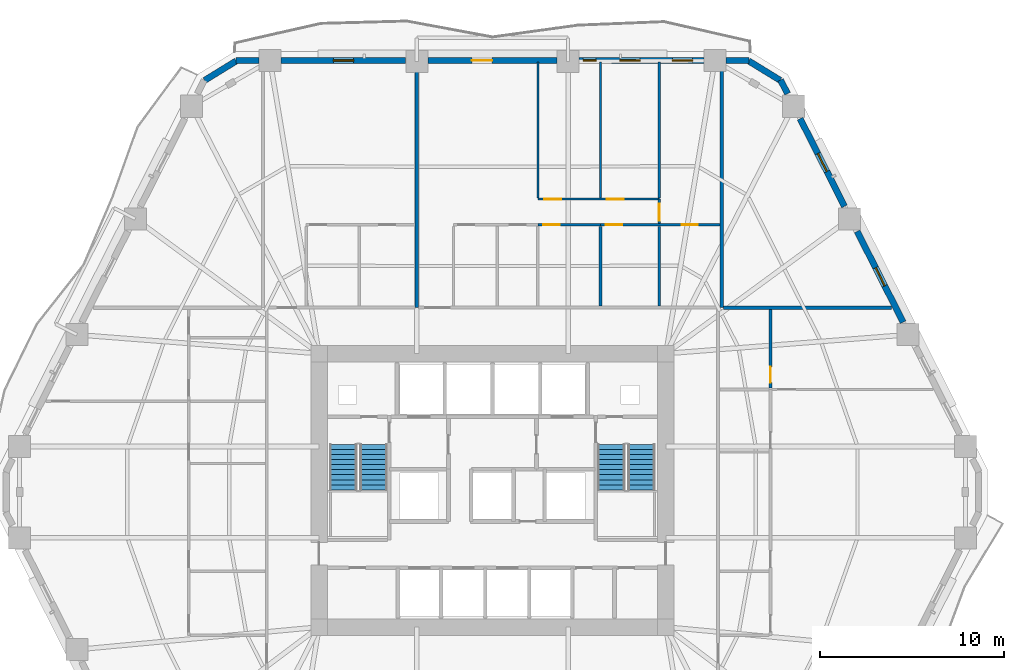
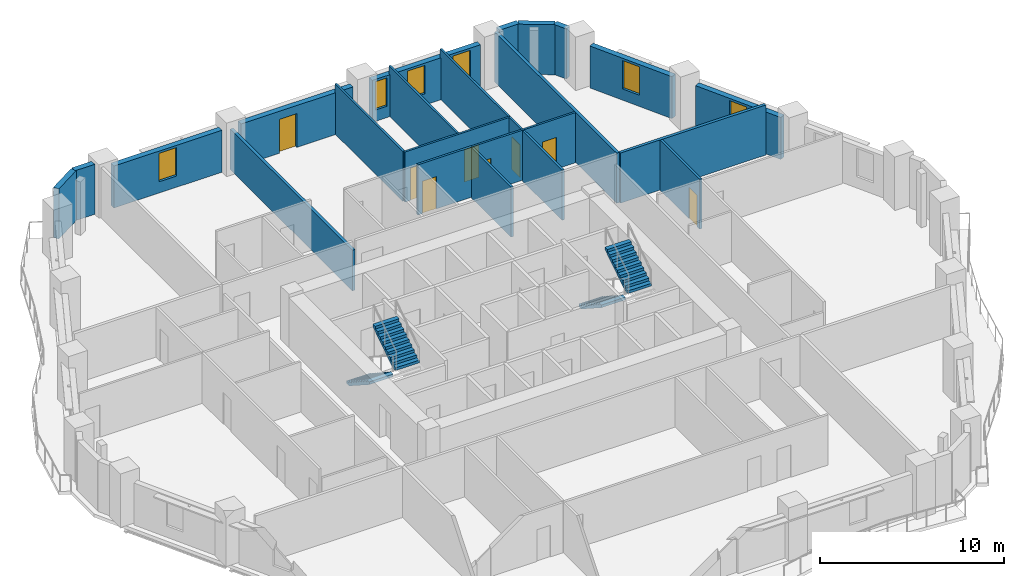
# One storey, part 7 of 13: 23 walls, 8 doors, 6 windows, 4 stair flights, 14 openings, 2 elements without a shape of their own.
"""IFC4 building model written with IfcOpenShell, lengths in metres."""

import ifcopenshell
import ifcopenshell.guid

model = None  # the IFC model being written
_history = None  # IfcOwnerHistory: only IFC2X3 demands one
_inside = {}  # id of a spatial element -> (the spatial element, [elements in it])
_under = {}  # id of a project, library or spatial element -> (it, [spatial elements below it])
_declared = {}  # id of a project -> (the project, [libraries it declares])
_typed = {}  # id of a type object -> (the type object, [elements of that type])
_made_of = {}  # id of a material, layer set ... -> (it, [elements and type objects made of it])


def new_model(schema):
    """Start an empty IFC model of exactly this schema.

    Asked for "IFC4X3", IfcOpenShell would pick the latest addendum, in which some entities
    have other attributes; the version numbers below select the first issue.
    IFC2X3 requires an IfcOwnerHistory on every rooted entity: one is made here for all.
    """
    global model, _history
    if schema == "IFC4X3":
        model = ifcopenshell.file(schema_version=(4, 3, 0, 0))
    else:
        model = ifcopenshell.file(schema=schema)
    _inside.clear()
    _under.clear()
    _declared.clear()
    _typed.clear()
    _made_of.clear()
    _history = None
    if model.schema == "IFC2X3":
        org = make("IfcOrganization", Name="unknown")
        user = make(
            "IfcPersonAndOrganization",
            ThePerson=make("IfcPerson", FamilyName="unknown"),
            TheOrganization=org,
        )
        app = make(
            "IfcApplication",
            ApplicationDeveloper=org,
            Version="unknown",
            ApplicationFullName="unknown",
            ApplicationIdentifier="unknown",
        )
        _history = make(
            "IfcOwnerHistory",
            OwningUser=user,
            OwningApplication=app,
            ChangeAction="ADDED",
            CreationDate=0,
        )
    return model


def make(cls, **values):
    """One entity of the class cls with the attributes given. An attribute that is None is left unset."""
    return model.create_entity(
        cls, **{name: value for name, value in values.items() if value is not None}
    )


def rooted(cls, **values):
    """An entity with a GlobalId (a new one), such as an element, a storey or a relation."""
    return make(cls, GlobalId=ifcopenshell.guid.new(), OwnerHistory=_history, **values)


def si_unit(unit_type, name, prefix=None):
    """IfcSIUnit, for example si_unit("LENGTHUNIT", "METRE", prefix="MILLI")."""
    return make("IfcSIUnit", UnitType=unit_type, Prefix=prefix, Name=name)


def assignment(units):
    """IfcUnitAssignment: the units of a project."""
    return None if units is None else make("IfcUnitAssignment", Units=units)


def point(xyz):
    """IfcCartesianPoint."""
    return None if xyz is None else make("IfcCartesianPoint", Coordinates=xyz)


def direction(xyz):
    """IfcDirection."""
    return None if xyz is None else make("IfcDirection", DirectionRatios=xyz)


def frame(location, z_axis=None, x_axis=None):
    """IfcAxis2Placement3D, a coordinate frame: its origin and axes. An axis left out is left unset."""
    return make(
        "IfcAxis2Placement3D",
        Location=point(location),
        Axis=direction(z_axis),
        RefDirection=direction(x_axis),
    )


def frame_2d(location, x_axis=None):
    """IfcAxis2Placement2D, a coordinate frame in the plane: its origin and x axis."""
    return make(
        "IfcAxis2Placement2D", Location=point(location), RefDirection=direction(x_axis)
    )


def origin():
    """The frame at (0, 0, 0) with its axes left unset."""
    return frame((0.0, 0.0, 0.0))


def place(relative_to, where):
    """IfcLocalPlacement: puts the frame where relative to a parent placement (None: the world)."""
    return make(
        "IfcLocalPlacement", PlacementRelTo=relative_to, RelativePlacement=where
    )


def context(
    kind, dimensions, precision=None, world=None, true_north=None, identifier=None
):
    """IfcGeometricRepresentationContext, for example the 3D "Model" context."""
    return make(
        "IfcGeometricRepresentationContext",
        ContextIdentifier=identifier,
        ContextType=kind,
        CoordinateSpaceDimension=dimensions,
        Precision=precision,
        WorldCoordinateSystem=world,
        TrueNorth=true_north,
    )


def subcontext(parent, identifier, kind, view, scale=None):
    """IfcGeometricRepresentationSubContext, for example "Body" below "Model"."""
    return make(
        "IfcGeometricRepresentationSubContext",
        ContextIdentifier=identifier,
        ContextType=kind,
        ParentContext=parent,
        TargetScale=scale,
        TargetView=view,
    )


def project(units=None, contexts=None):
    """IfcProject with its units and contexts."""
    return rooted(
        "IfcProject",
        Name="project",
        RepresentationContexts=contexts,
        UnitsInContext=assignment(units),
    )


def spatial(cls, under=None, at=None, **own):
    """A site, building, storey or space (cls), placed at a placement, below another one or the project."""
    s = rooted(cls, ObjectPlacement=at, **own)
    if under is not None:
        _under.setdefault(under.id(), (under, []))[1].append(s)
    return s


def polyline(points):
    """IfcPolyline through the points."""
    return make("IfcPolyline", Points=[point(p) for p in points])


def profile(cls, at=None, kind="AREA", **sizes):
    """A parametric profile (cls). Its sizes go by their IFC names, for example OverallWidth=200.0."""
    return make(cls, ProfileType=kind, Position=at, **sizes)


def rectangle(**sizes):
    """IfcRectangleProfileDef."""
    return profile("IfcRectangleProfileDef", **sizes)


def outline(outer, holes=None, kind="AREA"):
    """IfcArbitraryClosedProfileDef: a profile drawn as a closed curve; with holes, ...WithVoids."""
    if holes is None:
        return make("IfcArbitraryClosedProfileDef", ProfileType=kind, OuterCurve=outer)
    return make(
        "IfcArbitraryProfileDefWithVoids",
        ProfileType=kind,
        OuterCurve=outer,
        InnerCurves=holes,
    )


def extrude(swept, where, along, depth):
    """IfcExtrudedAreaSolid: the profile swept, set in the frame where, extruded along a direction by depth."""
    return make(
        "IfcExtrudedAreaSolid",
        SweptArea=swept,
        Position=where,
        ExtrudedDirection=direction(along),
        Depth=depth,
    )


def shape(context_of_items, identifier, shape_type, items):
    """IfcShapeRepresentation: the items that make up one representation, for example the "Body"."""
    return make(
        "IfcShapeRepresentation",
        ContextOfItems=context_of_items,
        RepresentationIdentifier=identifier,
        RepresentationType=shape_type,
        Items=items,
    )


def material(Name=None, Category=None):
    """IfcMaterial."""
    return make("IfcMaterial", Name=Name, Category=Category)


def layer(
    of_material, thickness, ventilated=None, Name=None, Category=None, Priority=None
):
    """IfcMaterialLayer: one layer of a wall or slab, of a material (None: an air gap)."""
    return make(
        "IfcMaterialLayer",
        Material=of_material,
        LayerThickness=thickness,
        IsVentilated=ventilated,
        Name=Name,
        Category=Category,
        Priority=Priority,
    )


def layer_set(layers, Name=None):
    """IfcMaterialLayerSet."""
    return make("IfcMaterialLayerSet", MaterialLayers=layers, LayerSetName=Name)


def made_of(thing, what):
    """Note that an element or type object is made of a material, layer set ...; save() writes the relation."""
    if what is not None:
        _made_of.setdefault(what.id(), (what, []))[1].append(thing)
    return thing


def type_object(cls, material=None, **own):
    """A type object (cls), such as IfcWallType, which elements share."""
    return made_of(rooted(cls, **own), material)


def element(
    cls,
    number,
    at=None,
    inside=None,
    cuts=None,
    type_object=None,
    material=None,
    context=None,
    identifier="Body",
    shape_type=None,
    held_by="IfcProductDefinitionShape",
    body=None,
    shapes=None,
    **own,
):
    """One element of the class cls, such as IfcWall. Its Tag is "e" and its number.

    at: its placement. inside: the storey or other place that contains it. cuts: it is an
    opening in that element (IfcRelVoidsElement). A single representation is given by context,
    identifier, shape_type and body (its items); several are given by shapes. held_by: the class
    of the entity that holds the representations. save() writes the other relations.
    """
    e = rooted(cls, Tag="e%d" % number, ObjectPlacement=at, **own)
    if body is not None:
        shapes = [shape(context, identifier, shape_type, body)]
    if shapes is not None:
        e.Representation = make(held_by, Representations=shapes)
    if inside is not None:
        _inside.setdefault(inside.id(), (inside, []))[1].append(e)
    if cuts is not None:
        rooted(
            "IfcRelVoidsElement", RelatingBuildingElement=cuts, RelatedOpeningElement=e
        )
    if type_object is not None:
        _typed.setdefault(type_object.id(), (type_object, []))[1].append(e)
    return made_of(e, material)


def fill(opening, filler):
    """IfcRelFillsElement: the door or window that sits in an opening."""
    return rooted(
        "IfcRelFillsElement",
        RelatingOpeningElement=opening,
        RelatedBuildingElement=filler,
    )


def aggregate(whole, parts):
    """IfcRelAggregates: a whole, such as a stair, and the parts it consists of."""
    return rooted("IfcRelAggregates", RelatingObject=whole, RelatedObjects=parts)


def save(model, path):
    """Write the relations noted so far, then the file.

    IfcRelAggregates (storeys below a building ...), IfcRelContainedInSpatialStructure (elements
    in a storey), IfcRelDefinesByType, IfcRelAssociatesMaterial and IfcRelDeclares: one each for
    every whole, place, type object, material and project.
    """
    for whole, parts in _under.values():
        aggregate(whole, parts)
    for where, things in _inside.values():
        rooted(
            "IfcRelContainedInSpatialStructure",
            RelatedElements=things,
            RelatingStructure=where,
        )
    for kind, things in _typed.values():
        rooted("IfcRelDefinesByType", RelatedObjects=things, RelatingType=kind)
    for what, things in _made_of.values():
        rooted("IfcRelAssociatesMaterial", RelatedObjects=things, RelatingMaterial=what)
    for by, libraries in _declared.values():
        rooted("IfcRelDeclares", RelatingContext=by, RelatedDefinitions=libraries)
    model.write(path)


model = new_model("IFC4")

# Units and contexts
model_context = context("Model", 3, precision=1e-05, world=origin(), true_north=direction((0.0, 1.0)))
body_context = subcontext(model_context, "Body", "Model", "MODEL_VIEW")
ifc_project = project(units=[si_unit("LENGTHUNIT", "METRE"), si_unit("AREAUNIT", "SQUARE_METRE"), si_unit("VOLUMEUNIT", "CUBIC_METRE"), si_unit("PLANEANGLEUNIT", "RADIAN"), si_unit("MASSUNIT", "GRAM", prefix="KILO")], contexts=[model_context])

# Site, building, storey
site_placement = place(None, origin())
site = spatial("IfcSite", under=ifc_project, at=site_placement, CompositionType="ELEMENT")
building_placement = place(site_placement, origin())
building = spatial("IfcBuilding", under=site, at=building_placement, Name="Cinnabar Lancet Tower", CompositionType="ELEMENT")
storey_placement = place(building_placement, frame((0.0, 0.0, 49.75)))
storey = spatial("IfcBuildingStorey", under=building, at=storey_placement, Name="L12", CompositionType="ELEMENT", Elevation=49.75)

# Walls
ifc_material_1 = material(Name="Fire-rated twin-frame acoustic drywall", Category="gypsum")
ifc_layer_1 = layer(ifc_material_1, 0.179931640625)
ifc_layer_set_1 = layer_set([ifc_layer_1], Name="Fire-rated twin-frame acoustic drywall")
wall_type_1 = type_object("IfcWallType", Name="ARC-WL-PARTY-180", PredefinedType="PARTITIONING", material=ifc_layer_set_1)
wall_1_placement = place(storey_placement, frame((28.278076171875, 35.85009765625, 0.0), z_axis=(0.0, 0.0, 1.0), x_axis=(0.0, 1.0, 0.0)))
element("IfcWall", 1, at=wall_1_placement, inside=storey, type_object=wall_type_1, Name="PW-L12-NPTY-283", PredefinedType="PARTITIONING", context=body_context, shape_type="SweptSolid", body=[
    extrude(rectangle(XDim=13.294921875, YDim=0.179931640625, at=frame_2d((6.6474609375, 0.0))), origin(), (0.0, 0.0, 1.0), 2.699951171875),
])
wall_2_placement = place(storey_placement, frame((44.89990234375, 35.85009765625, 0.0), z_axis=(0.0, 0.0, 1.0), x_axis=(0.0, 1.0, 0.0)))
element("IfcWall", 2, at=wall_2_placement, inside=storey, type_object=wall_type_1, Name="PW-L12-NPTY-449", PredefinedType="PARTITIONING", context=body_context, shape_type="SweptSolid", body=[
    extrude(rectangle(XDim=13.294921875, YDim=0.179931640625, at=frame_2d((6.6474609375, 0.0))), origin(), (0.0, 0.0, 1.0), 3.330078125),
])
wall_3_placement = place(storey_placement, frame((44.9951171875, 35.85009765625, 0.0), z_axis=(0.0, 0.0, 1.0), x_axis=(1.0, 0.0, 0.0)))
element("IfcWall", 3, at=wall_3_placement, inside=storey, type_object=wall_type_1, Name="PW-L12-ENB", PredefinedType="PARTITIONING", context=body_context, shape_type="SweptSolid", body=[
    extrude(rectangle(XDim=9.139892578125, YDim=0.179931640625, at=frame_2d((4.56982421875, 0.0))), origin(), (0.0, 0.0, 1.0), 3.330078125),
])

# Wall, openings, doors
ifc_material_2 = material(Name="Gypsum plasterboard stud partition", Category="gypsum")
ifc_layer_2 = layer(ifc_material_2, 0.125)
ifc_layer_set_2 = layer_set([ifc_layer_2], Name="Gypsum plasterboard stud partition")
wall_type_2 = type_object("IfcWallType", Name="ARC-WL-UNIT-125", PredefinedType="PARTITIONING", material=ifc_layer_set_2)
wall_4_placement = place(storey_placement, frame((38.284912109375, 40.3701171875, 0.0), z_axis=(0.0, 0.0, 1.0), x_axis=(1.0, 0.0, 0.0)))
wall_4 = element("IfcWall", 4, at=wall_4_placement, inside=storey, type_object=wall_type_2, Name="UW-L12-N02-SP2", PredefinedType="PARTITIONING", context=body_context, shape_type="SweptSolid", body=[
    extrude(rectangle(XDim=6.52001953125, YDim=0.125, at=frame_2d((3.260009765625, 0.0))), origin(), (0.0, 0.0, 1.0), 3.330078125),
])
opening_1_placement = place(wall_4_placement, frame((4.43896484375, 0.0, 0.0)))
opening_1 = element("IfcOpeningElement", 5, at=opening_1_placement, cuts=wall_4, Name="Opening BD-01", PredefinedType="OPENING", context=body_context, shape_type="SweptSolid", body=[
    extrude(rectangle(XDim=0.860107421875, YDim=2.10009765625, at=frame_2d((0.43017578125, 1.050048828125))), frame((0.0, 0.072509765625, 0.0), z_axis=(0.0, -1.0, 0.0), x_axis=(1.0, 0.0, 0.0)), (0.0, 0.0, 1.0), 0.14501953125),
])
opening_2_placement = place(wall_4_placement, frame((0.300048828125, 0.0, 0.0)))
opening_2 = element("IfcOpeningElement", 6, at=opening_2_placement, cuts=wall_4, Name="Opening RD-02", PredefinedType="OPENING", context=body_context, shape_type="SweptSolid", body=[
    extrude(rectangle(XDim=0.8798828125, YDim=2.14990234375, at=frame_2d((0.43994140625, 1.074951171875))), frame((0.0, 0.072509765625, 0.0), z_axis=(0.0, -1.0, 0.0), x_axis=(1.0, 0.0, 0.0)), (0.0, 0.0, 1.0), 0.14501953125),
])
ifc_material_3 = material(Name="Moisture-resistant timber bathroom door", Category="wood")
door_type_1 = type_object("IfcDoorType", Name="ARC-DR-BATH", OperationType="NOTDEFINED", PredefinedType="DOOR", material=ifc_material_3)
door_1_placement = place(opening_1_placement, origin())
door_1 = element("IfcDoor", 7, at=door_1_placement, inside=storey, type_object=door_type_1, Name="DR-L12-N02-ENS", OperationType="SINGLE_SWING_LEFT", OverallHeight=2.10009765625, OverallWidth=0.860107421875, PredefinedType="DOOR", context=body_context, shape_type="SweptSolid", body=[
    extrude(rectangle(XDim=0.860107421875, YDim=2.10009765625, at=frame_2d((0.43017578125, 1.050048828125))), frame((0.0, 0.02490234375, 0.0), z_axis=(0.0, -1.0, 0.0), x_axis=(1.0, 0.0, 0.0)), (0.0, 0.0, 1.0), 0.050048828125),
])
fill(opening_1, door_1)
ifc_material_4 = material(Name="Engineered timber study door", Category="wood")
door_type_2 = type_object("IfcDoorType", Name="ARC-DR-STUDY", OperationType="NOTDEFINED", PredefinedType="DOOR", material=ifc_material_4)
door_2_placement = place(opening_2_placement, origin())
door_2 = element("IfcDoor", 8, at=door_2_placement, inside=storey, type_object=door_type_2, Name="DR-L12-N02-DRS", OperationType="SINGLE_SWING_RIGHT", OverallHeight=2.14990234375, OverallWidth=0.8798828125, PredefinedType="DOOR", context=body_context, shape_type="SweptSolid", body=[
    extrude(rectangle(XDim=0.8798828125, YDim=2.14990234375, at=frame_2d((0.43994140625, 1.074951171875))), frame((0.0, 0.02490234375, 0.0), z_axis=(0.0, -1.0, 0.0), x_axis=(1.0, 0.0, 0.0)), (0.0, 0.0, 1.0), 0.050048828125),
])
fill(opening_2, door_2)

# Wall
wall_5_placement = place(storey_placement, frame((34.8779296875, 41.8349609375, 0.0), z_axis=(0.0, 0.0, 1.0), x_axis=(0.0, 1.0, 0.0)))
element("IfcWall", 9, at=wall_5_placement, inside=storey, type_object=wall_type_2, Name="UW-L12-N02-BD2W", PredefinedType="PARTITIONING", context=body_context, shape_type="SweptSolid", body=[
    extrude(rectangle(XDim=7.400146484375, YDim=0.125, at=frame_2d((3.7001953125, 0.0))), origin(), (0.0, 0.0, 1.0), 3.330078125),
])

# Wall, openings, doors
wall_6_placement = place(storey_placement, frame((34.8779296875, 41.77001953125, 0.0), z_axis=(0.0, 0.0, 1.0), x_axis=(1.0, 0.0, 0.0)))
wall_6 = element("IfcWall", 10, at=wall_6_placement, inside=storey, type_object=wall_type_2, Name="UW-L12-N02-HLN", PredefinedType="PARTITIONING", context=body_context, shape_type="SweptSolid", body=[
    extrude(rectangle(XDim=6.614990234375, YDim=0.125, at=frame_2d((3.3076171875, 0.0))), origin(), (0.0, 0.0, 1.0), 3.330078125),
])
opening_3_placement = place(wall_6_placement, frame((0.35009765625, 0.0, 0.0)))
opening_3 = element("IfcOpeningElement", 11, at=opening_3_placement, cuts=wall_6, Name="Opening RD-01", PredefinedType="OPENING", context=body_context, shape_type="SweptSolid", body=[
    extrude(rectangle(XDim=0.919921875, YDim=2.14990234375, at=frame_2d((0.4599609375, 1.074951171875))), frame((0.0, 0.072509765625, 0.0), z_axis=(0.0, -1.0, 0.0), x_axis=(1.0, 0.0, 0.0)), (0.0, 0.0, 1.0), 0.14501953125),
])
opening_4_placement = place(wall_6_placement, frame((3.757080078125, 0.0, 0.0)))
opening_4 = element("IfcOpeningElement", 12, at=opening_4_placement, cuts=wall_6, Name="Opening RD-01", PredefinedType="OPENING", context=body_context, shape_type="SweptSolid", body=[
    extrude(rectangle(XDim=0.919921875, YDim=2.14990234375, at=frame_2d((0.4599609375, 1.074951171875))), frame((0.0, 0.072509765625, 0.0), z_axis=(0.0, -1.0, 0.0), x_axis=(1.0, 0.0, 0.0)), (0.0, 0.0, 1.0), 0.14501953125),
])
ifc_material_5 = material(Name="Engineered timber bedroom door", Category="wood")
door_type_3 = type_object("IfcDoorType", Name="ARC-DR-ROOM", OperationType="NOTDEFINED", PredefinedType="DOOR", material=ifc_material_5)
door_3_placement = place(opening_3_placement, origin())
door_3 = element("IfcDoor", 13, at=door_3_placement, inside=storey, type_object=door_type_3, Name="DR-L12-N02-BD2", OperationType="SINGLE_SWING_LEFT", OverallHeight=2.14990234375, OverallWidth=0.919921875, PredefinedType="DOOR", context=body_context, shape_type="SweptSolid", body=[
    extrude(rectangle(XDim=0.919921875, YDim=2.14990234375, at=frame_2d((0.4599609375, 1.074951171875))), frame((0.0, 0.02490234375, 0.0), z_axis=(0.0, -1.0, 0.0), x_axis=(1.0, 0.0, 0.0)), (0.0, 0.0, 1.0), 0.050048828125),
])
fill(opening_3, door_3)
door_4_placement = place(opening_4_placement, origin())
door_4 = element("IfcDoor", 14, at=door_4_placement, inside=storey, type_object=door_type_3, Name="DR-L12-N02-BD3", OperationType="SINGLE_SWING_RIGHT", OverallHeight=2.14990234375, OverallWidth=0.919921875, PredefinedType="DOOR", context=body_context, shape_type="SweptSolid", body=[
    extrude(rectangle(XDim=0.919921875, YDim=2.14990234375, at=frame_2d((0.4599609375, 1.074951171875))), frame((0.0, 0.02490234375, 0.0), z_axis=(0.0, -1.0, 0.0), x_axis=(1.0, 0.0, 0.0)), (0.0, 0.0, 1.0), 0.050048828125),
])
fill(opening_4, door_4)

# Wall, opening, door
wall_7_placement = place(storey_placement, frame((41.492919921875, 40.43994140625, 0.0), z_axis=(0.0, 0.0, 1.0), x_axis=(0.0, 1.0, 0.0)))
wall_7 = element("IfcWall", 15, at=wall_7_placement, inside=storey, type_object=wall_type_2, Name="UW-L12-N02-MBE", PredefinedType="PARTITIONING", context=body_context, shape_type="SweptSolid", body=[
    extrude(rectangle(XDim=1.330078125, YDim=0.125, at=frame_2d((0.6650390625, 0.0))), origin(), (0.0, 0.0, 1.0), 3.330078125),
])
opening_5_placement = place(wall_7_placement, frame((0.159912109375, 0.0, 0.0)))
opening_5 = element("IfcOpeningElement", 16, at=opening_5_placement, cuts=wall_7, Name="Opening RD-01", PredefinedType="OPENING", context=body_context, shape_type="SweptSolid", body=[
    extrude(rectangle(XDim=0.919921875, YDim=2.14990234375, at=frame_2d((0.4599609375, 1.074951171875))), frame((0.0, 0.072509765625, 0.0), z_axis=(0.0, -1.0, 0.0), x_axis=(1.0, 0.0, 0.0)), (0.0, 0.0, 1.0), 0.14501953125),
])
door_5_placement = place(opening_5_placement, origin())
door_5 = element("IfcDoor", 17, at=door_5_placement, inside=storey, type_object=door_type_3, Name="DR-L12-N02-MBD", OperationType="SINGLE_SWING_LEFT", OverallHeight=2.14990234375, OverallWidth=0.919921875, PredefinedType="DOOR", context=body_context, shape_type="SweptSolid", body=[
    extrude(rectangle(XDim=0.919921875, YDim=2.14990234375, at=frame_2d((0.4599609375, 1.074951171875))), frame((0.0, 0.02490234375, 0.0), z_axis=(0.0, -1.0, 0.0), x_axis=(1.0, 0.0, 0.0)), (0.0, 0.0, 1.0), 0.050048828125),
])
fill(opening_5, door_5)

# Walls
for number, where, z_axis, x_axis, name in (
    (18, (38.284912109375, 41.8349609375, 0.0), (0.0, 0.0, 1.0), (0.0, 1.0, 0.0), "UW-L12-N02-MB2W"),
    (19, (41.492919921875, 41.8349609375, 0.0), (0.0, 0.0, 1.0), (0.0, 1.0, 0.0), "UW-L12-N02-B23W"),
):
    element("IfcWall", number, at=place(storey_placement, frame(where, z_axis=z_axis, x_axis=x_axis)), inside=storey, type_object=wall_type_2, Name=name, PredefinedType="PARTITIONING", context=body_context, shape_type="SweptSolid", body=[
        extrude(rectangle(XDim=7.400146484375, YDim=0.125, at=frame_2d((3.7001953125, 0.0))), origin(), (0.0, 0.0, 1.0), 3.330078125),
    ])

# Wall, opening, door
ifc_material_6 = material(Name="Moisture-resistant cement-board plumbing wall", Category="masonry")
ifc_layer_3 = layer(ifc_material_6, 0.139892578125)
ifc_layer_set_3 = layer_set([ifc_layer_3], Name="Moisture-resistant cement-board plumbing wall")
wall_type_3 = type_object("IfcWallType", Name="ARC-WL-WET-140", PredefinedType="PLUMBINGWALL", material=ifc_layer_set_3)
wall_8_placement = place(storey_placement, frame((34.8779296875, 40.3701171875, 0.0), z_axis=(0.0, 0.0, 1.0), x_axis=(1.0, 0.0, 0.0)))
wall_8 = element("IfcWall", 20, at=wall_8_placement, inside=storey, type_object=wall_type_3, Name="UW-L12-N02-SPM", PredefinedType="PLUMBINGWALL", context=body_context, shape_type="SweptSolid", body=[
    extrude(rectangle(XDim=3.406982421875, YDim=0.139892578125, at=frame_2d((1.70361328125, 0.0))), origin(), (0.0, 0.0, 1.0), 3.330078125),
])
opening_6_placement = place(wall_8_placement, frame((0.300048828125, 0.0, 0.0)))
opening_6 = element("IfcOpeningElement", 21, at=opening_6_placement, cuts=wall_8, Name="Opening RD-02", PredefinedType="OPENING", context=body_context, shape_type="SweptSolid", body=[
    extrude(rectangle(XDim=0.8798828125, YDim=2.14990234375, at=frame_2d((0.43994140625, 1.074951171875))), frame((0.0, 0.079833984375, 0.0), z_axis=(0.0, -1.0, 0.0), x_axis=(1.0, 0.0, 0.0)), (0.0, 0.0, 1.0), 0.159912109375),
])
door_6_placement = place(opening_6_placement, origin())
door_6 = element("IfcDoor", 22, at=door_6_placement, inside=storey, type_object=door_type_2, Name="DR-L12-N02-UTL", OperationType="SINGLE_SWING_RIGHT", OverallHeight=2.14990234375, OverallWidth=0.8798828125, PredefinedType="DOOR", context=body_context, shape_type="SweptSolid", body=[
    extrude(rectangle(XDim=0.8798828125, YDim=2.14990234375, at=frame_2d((0.43994140625, 1.074951171875))), frame((0.0, 0.02490234375, 0.0), z_axis=(0.0, -1.0, 0.0), x_axis=(1.0, 0.0, 0.0)), (0.0, 0.0, 1.0), 0.050048828125),
])
fill(opening_6, door_6)

# Walls
for number, where, z_axis, x_axis, name in (
    (23, (38.284912109375, 35.93505859375, 0.0), (0.0, 0.0, 1.0), (0.0, 1.0, 0.0), "UW-L12-N02-ENSE"),
    (24, (41.492919921875, 35.93505859375, 0.0), (0.0, 0.0, 1.0), (0.0, 1.0, 0.0), "UW-L12-N02-UT3"),
):
    element("IfcWall", number, at=place(storey_placement, frame(where, z_axis=z_axis, x_axis=x_axis)), inside=storey, type_object=wall_type_3, Name=name, PredefinedType="PLUMBINGWALL", context=body_context, shape_type="SweptSolid", body=[
        extrude(rectangle(XDim=4.329833984375, YDim=0.139892578125, at=frame_2d((2.1650390625, 0.0))), origin(), (0.0, 0.0, 1.0), 3.330078125),
    ])

# Wall, opening, door
wall_9_placement = place(storey_placement, frame((47.550048828125, 31.4619140625, 0.0), z_axis=(0.0, 0.0, 1.0), x_axis=(0.0, 1.0, 0.0)))
wall_9 = element("IfcWall", 25, at=wall_9_placement, inside=storey, type_object=wall_type_3, Name="UW-L12-E01-SPM", PredefinedType="PLUMBINGWALL", context=body_context, shape_type="SweptSolid", body=[
    extrude(rectangle(XDim=4.29296875, YDim=0.139892578125, at=frame_2d((2.146484375, 0.0))), origin(), (0.0, 0.0, 1.0), 3.330078125),
])
opening_7_placement = place(wall_9_placement, frame((0.300048828125, 0.0, 0.0)))
opening_7 = element("IfcOpeningElement", 26, at=opening_7_placement, cuts=wall_9, Name="Opening BD-01", PredefinedType="OPENING", context=body_context, shape_type="SweptSolid", body=[
    extrude(rectangle(XDim=0.860107421875, YDim=2.10009765625, at=frame_2d((0.43017578125, 1.050048828125))), frame((0.0, 0.079833984375, 0.0), z_axis=(0.0, -1.0, 0.0), x_axis=(1.0, 0.0, 0.0)), (0.0, 0.0, 1.0), 0.159912109375),
])
door_7_placement = place(opening_7_placement, origin())
door_7 = element("IfcDoor", 27, at=door_7_placement, inside=storey, type_object=door_type_1, Name="DR-L12-E01-ENS", OperationType="SINGLE_SWING_LEFT", OverallHeight=2.10009765625, OverallWidth=0.860107421875, PredefinedType="DOOR", context=body_context, shape_type="SweptSolid", body=[
    extrude(rectangle(XDim=0.860107421875, YDim=2.10009765625, at=frame_2d((0.43017578125, 1.050048828125))), frame((0.0, 0.02490234375, 0.0), z_axis=(0.0, -1.0, 0.0), x_axis=(1.0, 0.0, 0.0)), (0.0, 0.0, 1.0), 0.050048828125),
])
fill(opening_7, door_7)

# Walls
ifc_material_7 = material(Name="Cinnabar red clay brick", Category="masonry")
ifc_layer_4 = layer(ifc_material_7, 0.340087890625)
ifc_layer_set_4 = layer_set([ifc_layer_4], Name="Cinnabar red clay brick")
wall_type_4 = type_object("IfcWallType", Name="ENV-WL-BRK-RED-340", PredefinedType="STANDARD", material=ifc_layer_set_4)
for number, where, z_axis, x_axis, name in (
    (28, (48.080078125, 48.238037109375, 0.0), (0.0, 0.0, 1.0), (-0.851870104345, 0.523753114857, 0.0), "L12 Chamfered Corner Brick Pier 4.1"),
    (29, (18.43896484375, 49.294921875, 0.0), (0.0, 0.0, 1.0), (-0.851870104345, -0.523753114857, 0.0), "L12 Chamfered Corner Brick Pier 5.1"),
):
    element("IfcWall", number, at=place(storey_placement, frame(where, z_axis=z_axis, x_axis=x_axis)), inside=storey, type_object=wall_type_4, Name=name, PredefinedType="STANDARD", context=body_context, shape_type="SweptSolid", body=[
        extrude(rectangle(XDim=2.017822265625, YDim=0.340087890625, at=frame_2d((1.0087890625, 0.0))), origin(), (0.0, 0.0, 1.0), 3.330078125),
    ])

# Wall, opening, window
wall_10_placement = place(storey_placement, frame((54.77587890625, 35.06103515625, 0.0), z_axis=(0.0, 0.0, 1.0), x_axis=(-0.451592100298, 0.892224509273, 0.0)))
wall_10 = element("IfcWall", 30, at=wall_10_placement, inside=storey, type_object=wall_type_4, Name="L12 Face 3 Masonry Bay Wall 3", PredefinedType="STANDARD", context=body_context, shape_type="SweptSolid", body=[
    extrude(rectangle(XDim=5.546875, YDim=0.340087890625, at=frame_2d((2.7734375, 0.0))), origin(), (0.0, 0.0, 1.0), 2.787109375),
])
opening_8_placement = place(wall_10_placement, frame((2.222900390625, 0.0, 0.75)))
opening_8 = element("IfcOpeningElement", 31, at=opening_8_placement, cuts=wall_10, Name="Opening WN-04", PredefinedType="OPENING", context=body_context, shape_type="SweptSolid", body=[
    extrude(rectangle(XDim=1.10009765625, YDim=1.886962890625, at=frame_2d((0.550048828125, 0.943359375))), frame((0.0, 0.179931640625, 0.0), z_axis=(0.0, -1.0, 0.0), x_axis=(1.0, 0.0, 0.0)), (0.0, 0.0, 1.0), 0.360107421875),
])
ifc_material_8 = material(Name="Thermally broken bronze-anodized aluminium tall lancet window", Category="aluminium")
window_type = type_object("IfcWindowType", Name="ENV-WN-LANCET-1100", PartitioningType="SINGLE_PANEL", PredefinedType="WINDOW", material=ifc_material_8)
window_1_placement = place(opening_8_placement, origin())
window_1 = element("IfcWindow", 32, at=window_1_placement, inside=storey, type_object=window_type, Name="L12 Face 3 Gothic Lancet Window 3", OverallHeight=1.886962890625, OverallWidth=1.10009765625, PartitioningType="SINGLE_PANEL", PredefinedType="WINDOW", context=body_context, shape_type="SweptSolid", body=[
    extrude(rectangle(XDim=1.10009765625, YDim=1.886962890625, at=frame_2d((0.550048828125, 0.943359375))), frame((0.0, 0.030029296875, 0.0), z_axis=(0.0, -1.0, 0.0), x_axis=(1.0, 0.0, 0.0)), (0.0, 0.0, 1.0), 0.06005859375),
])
fill(opening_8, window_1)

wall_11_placement = place(storey_placement, frame((51.5830078125, 41.3720703125, 0.0), z_axis=(0.0, 0.0, 1.0), x_axis=(-0.451697561555, 0.892171123095, 0.0)))
wall_11 = element("IfcWall", 33, at=wall_11_placement, inside=storey, type_object=wall_type_4, Name="L12 Face 3 Masonry Bay Wall 4", PredefinedType="STANDARD", context=body_context, shape_type="SweptSolid", body=[
    extrude(rectangle(XDim=5.350830078125, YDim=0.340087890625, at=frame_2d((2.67529296875, 0.0))), origin(), (0.0, 0.0, 1.0), 2.787109375),
])
opening_9_placement = place(wall_11_placement, frame((2.125, 0.0, 0.75)))
opening_9 = element("IfcOpeningElement", 34, at=opening_9_placement, cuts=wall_11, Name="Opening WN-04", PredefinedType="OPENING", context=body_context, shape_type="SweptSolid", body=[
    extrude(rectangle(XDim=1.10009765625, YDim=1.886962890625, at=frame_2d((0.550048828125, 0.943359375))), frame((0.0, 0.179931640625, 0.0), z_axis=(0.0, -1.0, 0.0), x_axis=(1.0, 0.0, 0.0)), (0.0, 0.0, 1.0), 0.360107421875),
])
window_2_placement = place(opening_9_placement, origin())
window_2 = element("IfcWindow", 35, at=window_2_placement, inside=storey, type_object=window_type, Name="L12 Face 3 Gothic Lancet Window 4", OverallHeight=1.886962890625, OverallWidth=1.10009765625, PartitioningType="SINGLE_PANEL", PredefinedType="WINDOW", context=body_context, shape_type="SweptSolid", body=[
    extrude(rectangle(XDim=1.10009765625, YDim=1.886962890625, at=frame_2d((0.550048828125, 0.943359375))), frame((0.0, 0.030029296875, 0.0), z_axis=(0.0, -1.0, 0.0), x_axis=(1.0, 0.0, 0.0)), (0.0, 0.0, 1.0), 0.06005859375),
])
fill(opening_9, window_2)

# Walls
wall_12_placement = place(storey_placement, frame((48.47802734375, 47.508056640625, 0.0), z_axis=(0.0, 0.0, 1.0), x_axis=(-0.451995771866, 0.892020079491, 0.0)))
element("IfcWall", 36, at=wall_12_placement, inside=storey, type_object=wall_type_4, Name="L12 Face 3 Masonry Bay Wall 5", PredefinedType="STANDARD", context=body_context, shape_type="SweptSolid", body=[
    extrude(rectangle(XDim=0.836181640625, YDim=0.340087890625, at=frame_2d((0.41796875, 0.0))), origin(), (0.0, 0.0, 1.0), 3.330078125),
])
wall_13_placement = place(storey_placement, frame((46.365966796875, 49.320068359375, 0.0), z_axis=(0.0, 0.0, 1.0), x_axis=(-1.0, 0.0, 0.0)))
element("IfcWall", 37, at=wall_13_placement, inside=storey, type_object=wall_type_4, Name="L12 Face 4 Masonry Bay Wall 1", PredefinedType="STANDARD", context=body_context, shape_type="SweptSolid", body=[
    extrude(rectangle(XDim=1.244873046875, YDim=0.340087890625, at=frame_2d((0.62255859375, 0.0))), origin(), (0.0, 0.0, 1.0), 3.330078125),
])

# Wall, openings, windows
wall_14_placement = place(storey_placement, frame((43.9130859375, 49.320068359375, 0.0), z_axis=(0.0, 0.0, 1.0), x_axis=(-1.0, 0.0, 0.0)))
wall_14 = element("IfcWall", 38, at=wall_14_placement, inside=storey, type_object=wall_type_4, Name="L12 Face 4 Masonry Bay Wall 2", PredefinedType="STANDARD", context=body_context, shape_type="SweptSolid", body=[
    extrude(rectangle(XDim=6.787109375, YDim=0.340087890625, at=frame_2d((3.3935546875, 0.0))), origin(), (0.0, 0.0, 1.0), 2.787109375),
])
opening_10_placement = place(wall_14_placement, frame((0.60400390625, 0.0, 0.75)))
opening_10 = element("IfcOpeningElement", 39, at=opening_10_placement, cuts=wall_14, Name="Opening WN-04", PredefinedType="OPENING", context=body_context, shape_type="SweptSolid", body=[
    extrude(rectangle(XDim=1.10009765625, YDim=1.886962890625, at=frame_2d((0.550048828125, 0.943359375))), frame((0.0, 0.179931640625, 0.0), z_axis=(0.0, -1.0, 0.0), x_axis=(1.0, 0.0, 0.0)), (0.0, 0.0, 1.0), 0.360107421875),
])
opening_11_placement = place(wall_14_placement, frame((3.47412109375, 0.0, 0.75)))
opening_11 = element("IfcOpeningElement", 40, at=opening_11_placement, cuts=wall_14, Name="Opening WN-04", PredefinedType="OPENING", context=body_context, shape_type="SweptSolid", body=[
    extrude(rectangle(XDim=1.10009765625, YDim=1.886962890625, at=frame_2d((0.550048828125, 0.943359375))), frame((0.0, 0.179931640625, 0.0), z_axis=(0.0, -1.0, 0.0), x_axis=(1.0, 0.0, 0.0)), (0.0, 0.0, 1.0), 0.360107421875),
])
opening_12_placement = place(wall_14_placement, frame((5.861083984375, 0.0, 0.75)))
opening_12 = element("IfcOpeningElement", 41, at=opening_12_placement, cuts=wall_14, Name="Opening WN-04", PredefinedType="OPENING", context=body_context, shape_type="SweptSolid", body=[
    extrude(rectangle(XDim=0.716064453125, YDim=1.886962890625, at=frame_2d((0.35791015625, 0.943359375))), frame((0.0, 0.179931640625, 0.0), z_axis=(0.0, -1.0, 0.0), x_axis=(1.0, 0.0, 0.0)), (0.0, 0.0, 1.0), 0.360107421875),
])
window_3_placement = place(opening_10_placement, origin())
window_3 = element("IfcWindow", 42, at=window_3_placement, inside=storey, type_object=window_type, Name="L12 Face 4 Gothic Lancet Window 2", OverallHeight=1.886962890625, OverallWidth=1.10009765625, PartitioningType="SINGLE_PANEL", PredefinedType="WINDOW", context=body_context, shape_type="SweptSolid", body=[
    extrude(rectangle(XDim=1.10009765625, YDim=1.886962890625, at=frame_2d((0.550048828125, 0.943359375))), frame((0.0, 0.030029296875, 0.0), z_axis=(0.0, -1.0, 0.0), x_axis=(1.0, 0.0, 0.0)), (0.0, 0.0, 1.0), 0.06005859375),
])
fill(opening_10, window_3)
window_4_placement = place(opening_11_placement, origin())
window_4 = element("IfcWindow", 43, at=window_4_placement, inside=storey, type_object=window_type, Name="L12 Split-Bay Gothic Lancet Window 26", OverallHeight=1.886962890625, OverallWidth=1.10009765625, PartitioningType="SINGLE_PANEL", PredefinedType="WINDOW", context=body_context, shape_type="SweptSolid", body=[
    extrude(rectangle(XDim=1.10009765625, YDim=1.886962890625, at=frame_2d((0.550048828125, 0.943359375))), frame((0.0, 0.030029296875, 0.0), z_axis=(0.0, -1.0, 0.0), x_axis=(1.0, 0.0, 0.0)), (0.0, 0.0, 1.0), 0.06005859375),
])
fill(opening_11, window_4)
window_5_placement = place(opening_12_placement, origin())
window_5 = element("IfcWindow", 44, at=window_5_placement, inside=storey, type_object=window_type, Name="L12 Dwelling Gothic Lancet Window 305", OverallHeight=1.886962890625, OverallWidth=0.716064453125, PartitioningType="SINGLE_PANEL", PredefinedType="WINDOW", context=body_context, shape_type="SweptSolid", body=[
    extrude(rectangle(XDim=0.716064453125, YDim=1.886962890625, at=frame_2d((0.35791015625, 0.943359375))), frame((0.0, 0.030029296875, 0.0), z_axis=(0.0, -1.0, 0.0), x_axis=(1.0, 0.0, 0.0)), (0.0, 0.0, 1.0), 0.06005859375),
])
fill(opening_12, window_5)

# Wall, opening, door
wall_15_placement = place(storey_placement, frame((35.91796875, 49.320068359375, 0.0), z_axis=(0.0, 0.0, 1.0), x_axis=(-1.0, 0.0, 0.0)))
wall_15 = element("IfcWall", 45, at=wall_15_placement, inside=storey, type_object=wall_type_4, Name="L12 Face 4 Masonry Bay Wall 3", PredefinedType="STANDARD", context=body_context, shape_type="SweptSolid", body=[
    extrude(rectangle(XDim=7.035888671875, YDim=0.340087890625, at=frame_2d((3.51806640625, 0.0))), origin(), (0.0, 0.0, 1.0), 2.787109375),
])
opening_13_placement = place(wall_15_placement, frame((3.5390625, 0.0, 0.0)))
opening_13 = element("IfcOpeningElement", 46, at=opening_13_placement, cuts=wall_15, Name="Opening TD-01", PredefinedType="OPENING", context=body_context, shape_type="SweptSolid", body=[
    extrude(rectangle(XDim=1.10009765625, YDim=2.25, at=frame_2d((0.550048828125, 1.125))), frame((0.0, 0.179931640625, 0.0), z_axis=(0.0, -1.0, 0.0), x_axis=(1.0, 0.0, 0.0)), (0.0, 0.0, 1.0), 0.360107421875),
])
ifc_material_9 = material(Name="Thermally broken low-E glazed balcony terrace door", Category="wood")
door_type_4 = type_object("IfcDoorType", Name="ARC-DR-BALC", OperationType="NOTDEFINED", PredefinedType="DOOR", material=ifc_material_9)
door_8_placement = place(opening_13_placement, origin())
door_8 = element("IfcDoor", 47, at=door_8_placement, inside=storey, type_object=door_type_4, Name="L12 Face 4 Glazed Terrace Door", OperationType="SINGLE_SWING_RIGHT", OverallHeight=2.25, OverallWidth=1.10009765625, PredefinedType="DOOR", context=body_context, shape_type="SweptSolid", body=[
    extrude(rectangle(XDim=1.10009765625, YDim=2.25, at=frame_2d((0.550048828125, 1.125))), frame((0.0, 0.02490234375, 0.0), z_axis=(0.0, -1.0, 0.0), x_axis=(1.0, 0.0, 0.0)), (0.0, 0.0, 1.0), 0.050048828125),
])
fill(opening_13, door_8)

# Wall, opening, window
wall_16_placement = place(storey_placement, frame((27.674072265625, 49.320068359375, 0.0), z_axis=(0.0, 0.0, 1.0), x_axis=(-1.0, 0.0, 0.0)))
wall_16 = element("IfcWall", 48, at=wall_16_placement, inside=storey, type_object=wall_type_4, Name="L12 Face 4 Masonry Bay Wall 4", PredefinedType="STANDARD", context=body_context, shape_type="SweptSolid", body=[
    extrude(rectangle(XDim=6.787109375, YDim=0.340087890625, at=frame_2d((3.3935546875, 0.0))), origin(), (0.0, 0.0, 1.0), 2.787109375),
])
opening_14_placement = place(wall_16_placement, frame((2.843017578125, 0.0, 0.75)))
opening_14 = element("IfcOpeningElement", 49, at=opening_14_placement, cuts=wall_16, Name="Opening WN-04", PredefinedType="OPENING", context=body_context, shape_type="SweptSolid", body=[
    extrude(rectangle(XDim=1.10009765625, YDim=1.886962890625, at=frame_2d((0.550048828125, 0.943359375))), frame((0.0, 0.179931640625, 0.0), z_axis=(0.0, -1.0, 0.0), x_axis=(1.0, 0.0, 0.0)), (0.0, 0.0, 1.0), 0.360107421875),
])
window_6_placement = place(opening_14_placement, origin())
window_6 = element("IfcWindow", 50, at=window_6_placement, inside=storey, type_object=window_type, Name="L12 Face 4 Gothic Lancet Window 4", OverallHeight=1.886962890625, OverallWidth=1.10009765625, PartitioningType="SINGLE_PANEL", PredefinedType="WINDOW", context=body_context, shape_type="SweptSolid", body=[
    extrude(rectangle(XDim=1.10009765625, YDim=1.886962890625, at=frame_2d((0.550048828125, 0.943359375))), frame((0.0, 0.030029296875, 0.0), z_axis=(0.0, -1.0, 0.0), x_axis=(1.0, 0.0, 0.0)), (0.0, 0.0, 1.0), 0.06005859375),
])
fill(opening_14, window_6)

# Wall
wall_17_placement = place(storey_placement, frame((19.678955078125, 49.320068359375, 0.0), z_axis=(0.0, 0.0, 1.0), x_axis=(-1.0, 0.0, 0.0)))
element("IfcWall", 51, at=wall_17_placement, inside=storey, type_object=wall_type_4, Name="L12 Face 4 Masonry Bay Wall 5", PredefinedType="STANDARD", context=body_context, shape_type="SweptSolid", body=[
    extrude(rectangle(XDim=1.244873046875, YDim=0.340087890625, at=frame_2d((0.62255859375, 0.0))), origin(), (0.0, 0.0, 1.0), 3.330078125),
])

# Stair, stair flights
ifc_material_10 = material(Name="Concrete C40/50", Category="concrete")
stair_type = type_object("IfcStairType", Name="ST-CORE", PredefinedType="HALF_TURN_STAIR", material=ifc_material_10)
stair_1_placement = place(storey_placement, origin())
stair_1 = element("IfcStair", 52, at=stair_1_placement, inside=storey, type_object=stair_type, Name="L12 ST-1", PredefinedType="HALF_TURN_STAIR")
ifc_material_11 = material(Name="Concrete C40/50", Category="concrete")
stair_flight_type = type_object("IfcStairFlightType", Name="FLIGHT-CORE", PredefinedType="STRAIGHT", material=ifc_material_11)
stair_flight_1_placement = place(storey_placement, frame((24.27490234375, 28.39990234375, 0.0), z_axis=(0.0, 0.0, 1.0), x_axis=(0.0, -1.0, 0.0)))
stair_flight_1 = element("IfcStairFlight", 53, at=stair_flight_1_placement, type_object=stair_flight_type, Name="ST-1 flight 1", NumberOfRisers=10, NumberOfTreads=9, PredefinedType="STRAIGHT", RiserHeight=0.1775, TreadLength=0.275, context=body_context, shape_type="SweptSolid", body=[
    extrude(outline(polyline([(0.0, 0.0), (0.0, 0.177490234375), (0.27490234375, 0.177490234375), (0.27490234375, 0.35498046875), (0.550048828125, 0.35498046875), (0.550048828125, 0.532470703125), (0.824951171875, 0.532470703125), (0.824951171875, 0.7099609375), (1.10009765625, 0.7099609375), (1.10009765625, 0.887451171875), (1.375, 0.887451171875), (1.375, 1.06494140625), (1.64990234375, 1.06494140625), (1.64990234375, 1.242431640625), (1.925048828125, 1.242431640625), (1.925048828125, 1.419921875), (2.199951171875, 1.419921875), (2.199951171875, 1.597412109375), (2.47509765625, 1.597412109375), (2.47509765625, 1.77490234375), (2.47509765625, 1.419189453125), (0.2763671875, 0.0), (0.0, 0.0)])), frame((0.0, 0.75, 0.0), z_axis=(0.0, -1.0, 0.0), x_axis=(1.0, 0.0, 0.0)), (0.0, 0.0, 1.0), 1.5),
])
stair_flight_2_placement = place(storey_placement, frame((25.925048828125, 25.925048828125, 1.77490234375), z_axis=(0.0, 0.0, 1.0), x_axis=(0.0, 1.0, 0.0)))
stair_flight_2 = element("IfcStairFlight", 54, at=stair_flight_2_placement, type_object=stair_flight_type, Name="ST-1 flight 2", NumberOfRisers=10, NumberOfTreads=9, PredefinedType="STRAIGHT", RiserHeight=0.1775, TreadLength=0.275, context=body_context, shape_type="SweptSolid", body=[
    extrude(outline(polyline([(0.0, 0.0), (0.0, 0.177490234375), (0.27490234375, 0.177490234375), (0.27490234375, 0.35498046875), (0.550048828125, 0.35498046875), (0.550048828125, 0.532470703125), (0.824951171875, 0.532470703125), (0.824951171875, 0.7099609375), (1.10009765625, 0.7099609375), (1.10009765625, 0.887451171875), (1.375, 0.887451171875), (1.375, 1.06494140625), (1.64990234375, 1.06494140625), (1.64990234375, 1.242431640625), (1.925048828125, 1.242431640625), (1.925048828125, 1.419921875), (2.199951171875, 1.419921875), (2.199951171875, 1.597412109375), (2.47509765625, 1.597412109375), (2.47509765625, 1.77490234375), (2.47509765625, 1.419189453125), (0.2763671875, 0.0), (0.0, 0.0)])), frame((0.0, 0.75, 0.0), z_axis=(0.0, -1.0, 0.0), x_axis=(1.0, 0.0, 0.0)), (0.0, 0.0, 1.0), 1.5),
])
aggregate(stair_1, [stair_flight_1, stair_flight_2])

stair_2_placement = place(storey_placement, origin())
stair_2 = element("IfcStair", 55, at=stair_2_placement, inside=storey, type_object=stair_type, Name="L12 ST-2", PredefinedType="HALF_TURN_STAIR")
stair_flight_3_placement = place(storey_placement, frame((38.875, 28.39990234375, 0.0), z_axis=(0.0, 0.0, 1.0), x_axis=(0.0, -1.0, 0.0)))
stair_flight_3 = element("IfcStairFlight", 56, at=stair_flight_3_placement, type_object=stair_flight_type, Name="ST-2 flight 1", NumberOfRisers=10, NumberOfTreads=9, PredefinedType="STRAIGHT", RiserHeight=0.1775, TreadLength=0.275, context=body_context, shape_type="SweptSolid", body=[
    extrude(outline(polyline([(0.0, 0.0), (0.0, 0.177490234375), (0.27490234375, 0.177490234375), (0.27490234375, 0.35498046875), (0.550048828125, 0.35498046875), (0.550048828125, 0.532470703125), (0.824951171875, 0.532470703125), (0.824951171875, 0.7099609375), (1.10009765625, 0.7099609375), (1.10009765625, 0.887451171875), (1.375, 0.887451171875), (1.375, 1.06494140625), (1.64990234375, 1.06494140625), (1.64990234375, 1.242431640625), (1.925048828125, 1.242431640625), (1.925048828125, 1.419921875), (2.199951171875, 1.419921875), (2.199951171875, 1.597412109375), (2.47509765625, 1.597412109375), (2.47509765625, 1.77490234375), (2.47509765625, 1.419189453125), (0.2763671875, 0.0), (0.0, 0.0)])), frame((0.0, 0.75, 0.0), z_axis=(0.0, -1.0, 0.0), x_axis=(1.0, 0.0, 0.0)), (0.0, 0.0, 1.0), 1.5),
])
stair_flight_4_placement = place(storey_placement, frame((40.52490234375, 25.925048828125, 1.77490234375), z_axis=(0.0, 0.0, 1.0), x_axis=(0.0, 1.0, 0.0)))
stair_flight_4 = element("IfcStairFlight", 57, at=stair_flight_4_placement, type_object=stair_flight_type, Name="ST-2 flight 2", NumberOfRisers=10, NumberOfTreads=9, PredefinedType="STRAIGHT", RiserHeight=0.1775, TreadLength=0.275, context=body_context, shape_type="SweptSolid", body=[
    extrude(outline(polyline([(0.0, 0.0), (0.0, 0.177490234375), (0.27490234375, 0.177490234375), (0.27490234375, 0.35498046875), (0.550048828125, 0.35498046875), (0.550048828125, 0.532470703125), (0.824951171875, 0.532470703125), (0.824951171875, 0.7099609375), (1.10009765625, 0.7099609375), (1.10009765625, 0.887451171875), (1.375, 0.887451171875), (1.375, 1.06494140625), (1.64990234375, 1.06494140625), (1.64990234375, 1.242431640625), (1.925048828125, 1.242431640625), (1.925048828125, 1.419921875), (2.199951171875, 1.419921875), (2.199951171875, 1.597412109375), (2.47509765625, 1.597412109375), (2.47509765625, 1.77490234375), (2.47509765625, 1.419189453125), (0.2763671875, 0.0), (0.0, 0.0)])), frame((0.0, 0.75, 0.0), z_axis=(0.0, -1.0, 0.0), x_axis=(1.0, 0.0, 0.0)), (0.0, 0.0, 1.0), 1.5),
])
aggregate(stair_2, [stair_flight_3, stair_flight_4])

save(model, "model.ifc")
